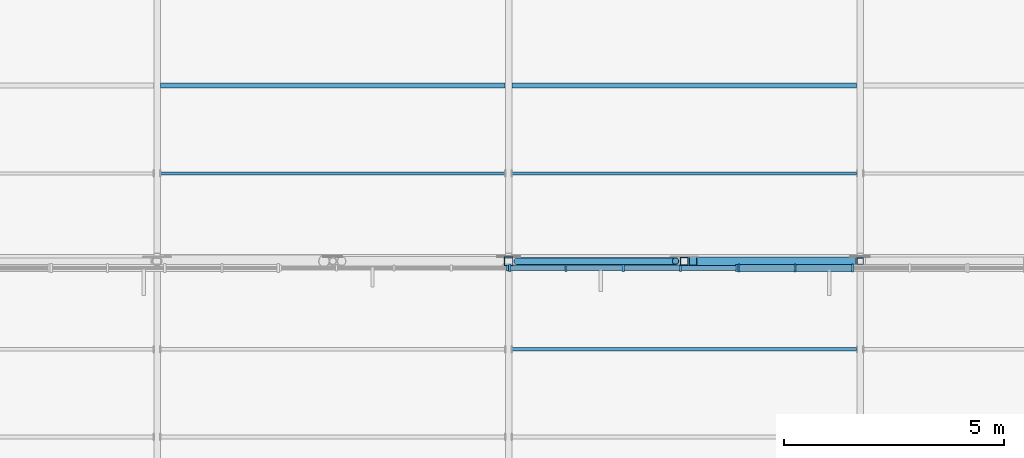
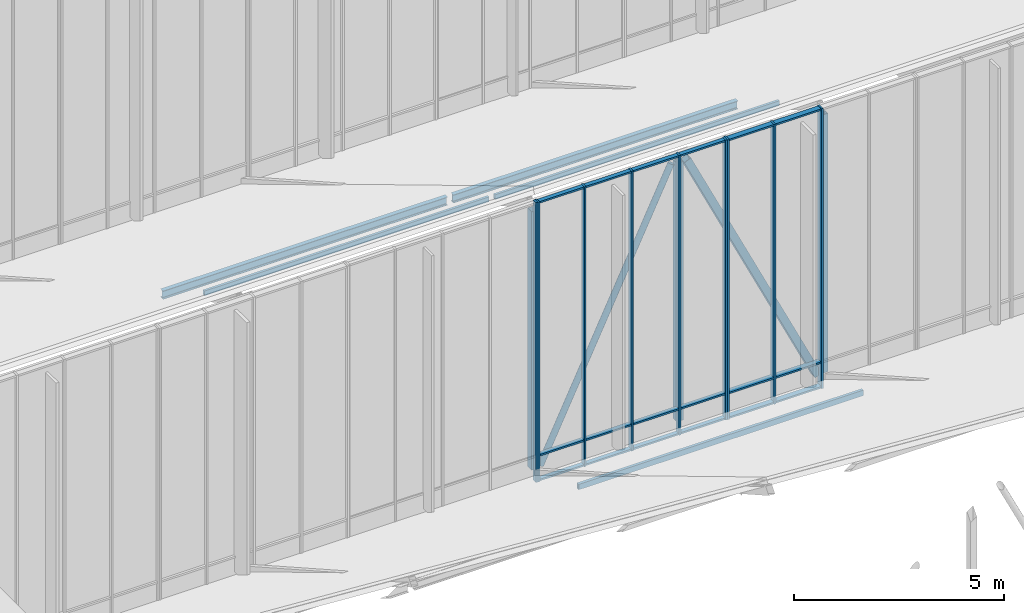
# One storey, part 43 of 155: 37 members, 3 elements without a shape of their own.
"""IFC4 building model written with IfcOpenShell, lengths in metres."""

from ifc_helpers import new_model, si_unit, direction, frame, origin, origin_2d, place, context, subcontext, project, spatial, rectangle, hollow_rectangle, hollow_circle, i_section, extrude, material, material_profile, profile_set, type_object, element, aggregate, save


model = new_model("IFC4")

# Units and contexts
model_context = context("Model", 3, precision=1e-05, world=origin(), true_north=direction((0.0, 1.0)))
body_context = subcontext(model_context, "Body", "Model", "MODEL_VIEW")
ifc_project = project(units=[si_unit("LENGTHUNIT", "METRE"), si_unit("AREAUNIT", "SQUARE_METRE"), si_unit("VOLUMEUNIT", "CUBIC_METRE"), si_unit("PLANEANGLEUNIT", "RADIAN"), si_unit("MASSUNIT", "GRAM", prefix="KILO")], contexts=[model_context])

# Site, building, storey
site_placement = place(None, origin())
site = spatial("IfcSite", under=ifc_project, at=site_placement, CompositionType="ELEMENT")
building_placement = place(site_placement, origin())
building = spatial("IfcBuilding", under=site, at=building_placement, Name="Larkveld Mobility Hub", CompositionType="ELEMENT")
storey_placement = place(building_placement, frame((0.0, 0.0, 8.39990234375)))
storey = spatial("IfcBuildingStorey", under=building, at=storey_placement, Name="L02", CompositionType="ELEMENT", Elevation=8.39990234375)

# Curtain wall, members
ifc_material_1 = material(Name="Anodised aluminium 6063-T6", Category="aluminium")
curtain_wall_type_1 = type_object("IfcCurtainWallType", Name="CW-SYS-05", PredefinedType="NOTDEFINED", material=ifc_material_1)
curtain_wall_1_placement = place(storey_placement, origin())
curtain_wall_1 = element("IfcCurtainWall", 1, at=curtain_wall_1_placement, inside=storey, type_object=curtain_wall_type_1, Name="Sawtooth South-Light Clerestory B2 CW-017", PredefinedType="NOTDEFINED")
ifc_material_profile_1 = material_profile(ifc_material_1, rectangle(XDim=0.050048828125, YDim=0.14990234375, at=origin_2d()), Name="ALU MULL 50x150")
ifc_profile_set_1 = profile_set([ifc_material_profile_1], Name="Anodised aluminium 6063-T6")
member_type_1 = type_object("IfcMemberType", Name="CW-MUL-01", PredefinedType="MULLION", material=ifc_profile_set_1)
member_1_placement = place(storey_placement, frame((168.02490234375, 41.844970703125, -0.001953125), z_axis=(0.0, 0.0, 1.0), x_axis=(1.0, 0.0, 0.0)))
member_1 = element("IfcMember", 2, at=member_1_placement, type_object=member_type_1, Name="CW05 mullion 1", PredefinedType="MULLION", context=body_context, shape_type="SweptSolid", body=[
    extrude(rectangle(XDim=0.050048828125, YDim=0.14990234375, at=origin_2d()), origin(), (0.0, 0.0, 1.0), 8.152099609375),
])
member_2_placement = place(storey_placement, frame((169.303955078125, 41.844970703125, -0.001953125), z_axis=(0.0, 0.0, 1.0), x_axis=(1.0, 0.0, 0.0)))
member_2 = element("IfcMember", 3, at=member_2_placement, type_object=member_type_1, Name="CW05 mullion 2", PredefinedType="MULLION", context=body_context, shape_type="SweptSolid", body=[
    extrude(rectangle(XDim=0.050048828125, YDim=0.14990234375, at=origin_2d()), origin(), (0.0, 0.0, 1.0), 8.152099609375),
])
member_3_placement = place(storey_placement, frame((170.60791015625, 41.844970703125, -0.001953125), z_axis=(0.0, 0.0, 1.0), x_axis=(1.0, 0.0, 0.0)))
member_3 = element("IfcMember", 4, at=member_3_placement, type_object=member_type_1, Name="CW05 mullion 3", PredefinedType="MULLION", context=body_context, shape_type="SweptSolid", body=[
    extrude(rectangle(XDim=0.050048828125, YDim=0.14990234375, at=origin_2d()), origin(), (0.0, 0.0, 1.0), 8.152099609375),
])
member_4_placement = place(storey_placement, frame((171.912109375, 41.844970703125, -0.001953125), z_axis=(0.0, 0.0, 1.0), x_axis=(1.0, 0.0, 0.0)))
member_4 = element("IfcMember", 5, at=member_4_placement, type_object=member_type_1, Name="CW05 mullion 4", PredefinedType="MULLION", context=body_context, shape_type="SweptSolid", body=[
    extrude(rectangle(XDim=0.050048828125, YDim=0.14990234375, at=origin_2d()), origin(), (0.0, 0.0, 1.0), 8.152099609375),
])
member_5_placement = place(storey_placement, frame((173.19189453125, 41.844970703125, -0.001953125), z_axis=(0.0, 0.0, 1.0), x_axis=(1.0, 0.0, 0.0)))
member_5 = element("IfcMember", 6, at=member_5_placement, type_object=member_type_1, Name="CW05 mullion 5", PredefinedType="MULLION", context=body_context, shape_type="SweptSolid", body=[
    extrude(rectangle(XDim=0.050048828125, YDim=0.14990234375, at=origin_2d()), origin(), (0.0, 0.0, 1.0), 8.152099609375),
])

curtain_wall_type_2 = type_object("IfcCurtainWallType", Name="CW-SYS-06", PredefinedType="NOTDEFINED", material=ifc_material_1)
curtain_wall_2_placement = place(storey_placement, origin())
curtain_wall_2 = element("IfcCurtainWall", 7, at=curtain_wall_2_placement, inside=storey, type_object=curtain_wall_type_2, Name="Sawtooth South-Light Clerestory B2 CW-018", PredefinedType="NOTDEFINED")
ifc_material_profile_2 = material_profile(ifc_material_1, rectangle(XDim=0.050048828125, YDim=0.179931640625, at=origin_2d()), Name="ALU MULL 50x180")
ifc_profile_set_2 = profile_set([ifc_material_profile_2], Name="Anodised aluminium 6063-T6")
member_type_2 = type_object("IfcMemberType", Name="CW-MUL-02", PredefinedType="MULLION", material=ifc_profile_set_2)
member_6_placement = place(storey_placement, frame((173.241943359375, 41.844970703125, -0.001953125), z_axis=(0.0, 0.0, 1.0), x_axis=(1.0, 0.0, 0.0)))
member_6 = element("IfcMember", 8, at=member_6_placement, type_object=member_type_2, Name="CW06 mullion 1", PredefinedType="MULLION", context=body_context, shape_type="SweptSolid", body=[
    extrude(rectangle(XDim=0.050048828125, YDim=0.179931640625, at=origin_2d()), origin(), (0.0, 0.0, 1.0), 8.152099609375),
])
member_7_placement = place(storey_placement, frame((174.52099609375, 41.844970703125, -0.001953125), z_axis=(0.0, 0.0, 1.0), x_axis=(1.0, 0.0, 0.0)))
member_7 = element("IfcMember", 9, at=member_7_placement, type_object=member_type_2, Name="CW06 mullion 2", PredefinedType="MULLION", context=body_context, shape_type="SweptSolid", body=[
    extrude(rectangle(XDim=0.050048828125, YDim=0.179931640625, at=origin_2d()), origin(), (0.0, 0.0, 1.0), 8.152099609375),
])
member_8_placement = place(storey_placement, frame((175.824951171875, 41.844970703125, -0.001953125), z_axis=(0.0, 0.0, 1.0), x_axis=(1.0, 0.0, 0.0)))
member_8 = element("IfcMember", 10, at=member_8_placement, type_object=member_type_2, Name="CW06 mullion 3", PredefinedType="MULLION", context=body_context, shape_type="SweptSolid", body=[
    extrude(rectangle(XDim=0.050048828125, YDim=0.179931640625, at=origin_2d()), origin(), (0.0, 0.0, 1.0), 8.152099609375),
])

# Curtain wall, member
curtain_wall_type_3 = type_object("IfcCurtainWallType", Name="CW-SYS-04", PredefinedType="NOTDEFINED", material=ifc_material_1)
curtain_wall_3_placement = place(storey_placement, origin())
curtain_wall_3 = element("IfcCurtainWall", 11, at=curtain_wall_3_placement, inside=storey, type_object=curtain_wall_type_3, Name="Sawtooth South-Light Clerestory B2 CW-016", PredefinedType="NOTDEFINED")
ifc_material_profile_3 = material_profile(ifc_material_1, rectangle(XDim=0.050048828125, YDim=0.1298828125, at=origin_2d()), Name="ALU MULL 50x130")
ifc_profile_set_3 = profile_set([ifc_material_profile_3], Name="Anodised aluminium 6063-T6")
member_type_3 = type_object("IfcMemberType", Name="CW-MUL-04", PredefinedType="MULLION", material=ifc_profile_set_3)
member_9_placement = place(storey_placement, frame((167.97509765625, 41.844970703125, -0.001953125), z_axis=(0.0, 0.0, 1.0), x_axis=(1.0, 0.0, 0.0)))
member_9 = element("IfcMember", 12, at=member_9_placement, type_object=member_type_3, Name="CW04 mullion 5", PredefinedType="MULLION", context=body_context, shape_type="SweptSolid", body=[
    extrude(rectangle(XDim=0.050048828125, YDim=0.1298828125, at=origin_2d()), origin(), (0.0, 0.0, 1.0), 8.152099609375),
])
aggregate(curtain_wall_3, [member_9])

# Member
ifc_material_profile_4 = material_profile(ifc_material_1, rectangle(XDim=0.1201171875, YDim=0.050048828125, at=origin_2d()), Name="ALU TRAN 50x120")
ifc_profile_set_4 = profile_set([ifc_material_profile_4], Name="Anodised aluminium 6063-T6")
member_type_4 = type_object("IfcMemberType", Name="CW-TRN-01", PredefinedType="USERDEFINED", material=ifc_profile_set_4)
member_10_placement = place(storey_placement, frame((168.034912109375, 41.844970703125, 0.030029296875), z_axis=(1.0, 0.0, 0.0), x_axis=(0.0, 1.0, 0.0)))
member_10 = element("IfcMember", 13, at=member_10_placement, type_object=member_type_4, Name="CW05 transom 1.1", ObjectType="TRANSOM", PredefinedType="USERDEFINED", context=body_context, shape_type="SweptSolid", body=[
    extrude(rectangle(XDim=0.1201171875, YDim=0.050048828125, at=origin_2d()), origin(), (0.0, 0.0, 1.0), 1.254150390625),
])

member_11_placement = place(storey_placement, frame((168.034912109375, 41.844970703125, 0.75), z_axis=(1.0, 0.0, 0.0), x_axis=(0.0, 1.0, 0.0)))
member_11 = element("IfcMember", 14, at=member_11_placement, type_object=member_type_4, Name="CW05 transom 1.2", ObjectType="TRANSOM", PredefinedType="USERDEFINED", context=body_context, shape_type="SweptSolid", body=[
    extrude(rectangle(XDim=0.1201171875, YDim=0.050048828125, at=origin_2d()), origin(), (0.0, 0.0, 1.0), 1.254150390625),
])

member_12_placement = place(storey_placement, frame((168.034912109375, 41.844970703125, 8.1181640625), z_axis=(1.0, 0.0, 0.0), x_axis=(0.0, 1.0, 0.0)))
member_12 = element("IfcMember", 15, at=member_12_placement, type_object=member_type_4, Name="CW05 transom 1.3", ObjectType="TRANSOM", PredefinedType="USERDEFINED", context=body_context, shape_type="SweptSolid", body=[
    extrude(rectangle(XDim=0.1201171875, YDim=0.050048828125, at=origin_2d()), origin(), (0.0, 0.0, 1.0), 1.254150390625),
])

member_13_placement = place(storey_placement, frame((169.319091796875, 41.844970703125, 0.030029296875), z_axis=(1.0, 0.0, 0.0), x_axis=(0.0, 1.0, 0.0)))
member_13 = element("IfcMember", 16, at=member_13_placement, type_object=member_type_4, Name="CW05 transom 2.1", ObjectType="TRANSOM", PredefinedType="USERDEFINED", context=body_context, shape_type="SweptSolid", body=[
    extrude(rectangle(XDim=0.1201171875, YDim=0.050048828125, at=origin_2d()), origin(), (0.0, 0.0, 1.0), 1.27392578125),
])

member_14_placement = place(storey_placement, frame((169.319091796875, 41.844970703125, 0.75), z_axis=(1.0, 0.0, 0.0), x_axis=(0.0, 1.0, 0.0)))
member_14 = element("IfcMember", 17, at=member_14_placement, type_object=member_type_4, Name="CW05 transom 2.2", ObjectType="TRANSOM", PredefinedType="USERDEFINED", context=body_context, shape_type="SweptSolid", body=[
    extrude(rectangle(XDim=0.1201171875, YDim=0.050048828125, at=origin_2d()), origin(), (0.0, 0.0, 1.0), 1.27392578125),
])

member_15_placement = place(storey_placement, frame((169.319091796875, 41.844970703125, 8.1181640625), z_axis=(1.0, 0.0, 0.0), x_axis=(0.0, 1.0, 0.0)))
member_15 = element("IfcMember", 18, at=member_15_placement, type_object=member_type_4, Name="CW05 transom 2.3", ObjectType="TRANSOM", PredefinedType="USERDEFINED", context=body_context, shape_type="SweptSolid", body=[
    extrude(rectangle(XDim=0.1201171875, YDim=0.050048828125, at=origin_2d()), origin(), (0.0, 0.0, 1.0), 1.27392578125),
])

member_16_placement = place(storey_placement, frame((170.623046875, 41.844970703125, 0.030029296875), z_axis=(1.0, 0.0, 0.0), x_axis=(0.0, 1.0, 0.0)))
member_16 = element("IfcMember", 19, at=member_16_placement, type_object=member_type_4, Name="CW05 transom 3.1", ObjectType="TRANSOM", PredefinedType="USERDEFINED", context=body_context, shape_type="SweptSolid", body=[
    extrude(rectangle(XDim=0.1201171875, YDim=0.050048828125, at=origin_2d()), origin(), (0.0, 0.0, 1.0), 1.27490234375),
])

member_17_placement = place(storey_placement, frame((170.623046875, 41.844970703125, 0.75), z_axis=(1.0, 0.0, 0.0), x_axis=(0.0, 1.0, 0.0)))
member_17 = element("IfcMember", 20, at=member_17_placement, type_object=member_type_4, Name="CW05 transom 3.2", ObjectType="TRANSOM", PredefinedType="USERDEFINED", context=body_context, shape_type="SweptSolid", body=[
    extrude(rectangle(XDim=0.1201171875, YDim=0.050048828125, at=origin_2d()), origin(), (0.0, 0.0, 1.0), 1.27490234375),
])

member_18_placement = place(storey_placement, frame((170.623046875, 41.844970703125, 8.1181640625), z_axis=(1.0, 0.0, 0.0), x_axis=(0.0, 1.0, 0.0)))
member_18 = element("IfcMember", 21, at=member_18_placement, type_object=member_type_4, Name="CW05 transom 3.3", ObjectType="TRANSOM", PredefinedType="USERDEFINED", context=body_context, shape_type="SweptSolid", body=[
    extrude(rectangle(XDim=0.1201171875, YDim=0.050048828125, at=origin_2d()), origin(), (0.0, 0.0, 1.0), 1.27490234375),
])

member_19_placement = place(storey_placement, frame((171.927978515625, 41.844970703125, 0.030029296875), z_axis=(1.0, 0.0, 0.0), x_axis=(0.0, 1.0, 0.0)))
member_19 = element("IfcMember", 22, at=member_19_placement, type_object=member_type_4, Name="CW05 transom 4.1", ObjectType="TRANSOM", PredefinedType="USERDEFINED", context=body_context, shape_type="SweptSolid", body=[
    extrude(rectangle(XDim=0.1201171875, YDim=0.050048828125, at=origin_2d()), origin(), (0.0, 0.0, 1.0), 1.25390625),
])

member_20_placement = place(storey_placement, frame((171.927978515625, 41.844970703125, 0.75), z_axis=(1.0, 0.0, 0.0), x_axis=(0.0, 1.0, 0.0)))
member_20 = element("IfcMember", 23, at=member_20_placement, type_object=member_type_4, Name="CW05 transom 4.2", ObjectType="TRANSOM", PredefinedType="USERDEFINED", context=body_context, shape_type="SweptSolid", body=[
    extrude(rectangle(XDim=0.1201171875, YDim=0.050048828125, at=origin_2d()), origin(), (0.0, 0.0, 1.0), 1.25390625),
])

member_21_placement = place(storey_placement, frame((171.927978515625, 41.844970703125, 8.1181640625), z_axis=(1.0, 0.0, 0.0), x_axis=(0.0, 1.0, 0.0)))
member_21 = element("IfcMember", 24, at=member_21_placement, type_object=member_type_4, Name="CW05 transom 4.3", ObjectType="TRANSOM", PredefinedType="USERDEFINED", context=body_context, shape_type="SweptSolid", body=[
    extrude(rectangle(XDim=0.1201171875, YDim=0.050048828125, at=origin_2d()), origin(), (0.0, 0.0, 1.0), 1.25390625),
])

aggregate(curtain_wall_1, [member_1, member_2, member_3, member_4, member_5, member_10, member_11, member_12, member_13, member_14, member_15, member_16, member_17, member_18, member_19, member_20, member_21])

ifc_material_profile_5 = material_profile(ifc_material_1, rectangle(XDim=0.14990234375, YDim=0.050048828125, at=origin_2d()), Name="ALU TRAN 50x150")
ifc_profile_set_5 = profile_set([ifc_material_profile_5], Name="Anodised aluminium 6063-T6")
member_type_5 = type_object("IfcMemberType", Name="CW-TRN-02", PredefinedType="USERDEFINED", material=ifc_profile_set_5)
member_22_placement = place(storey_placement, frame((173.251953125, 41.844970703125, 0.030029296875), z_axis=(1.0, 0.0, 0.0), x_axis=(0.0, 1.0, 0.0)))
member_22 = element("IfcMember", 25, at=member_22_placement, type_object=member_type_5, Name="CW06 transom 1.1", ObjectType="TRANSOM", PredefinedType="USERDEFINED", context=body_context, shape_type="SweptSolid", body=[
    extrude(rectangle(XDim=0.14990234375, YDim=0.050048828125, at=origin_2d()), origin(), (0.0, 0.0, 1.0), 1.254150390625),
])

member_23_placement = place(storey_placement, frame((173.251953125, 41.844970703125, 0.75), z_axis=(1.0, 0.0, 0.0), x_axis=(0.0, 1.0, 0.0)))
member_23 = element("IfcMember", 26, at=member_23_placement, type_object=member_type_5, Name="CW06 transom 1.2", ObjectType="TRANSOM", PredefinedType="USERDEFINED", context=body_context, shape_type="SweptSolid", body=[
    extrude(rectangle(XDim=0.14990234375, YDim=0.050048828125, at=origin_2d()), origin(), (0.0, 0.0, 1.0), 1.254150390625),
])

member_24_placement = place(storey_placement, frame((173.251953125, 41.844970703125, 8.1181640625), z_axis=(1.0, 0.0, 0.0), x_axis=(0.0, 1.0, 0.0)))
member_24 = element("IfcMember", 27, at=member_24_placement, type_object=member_type_5, Name="CW06 transom 1.3", ObjectType="TRANSOM", PredefinedType="USERDEFINED", context=body_context, shape_type="SweptSolid", body=[
    extrude(rectangle(XDim=0.14990234375, YDim=0.050048828125, at=origin_2d()), origin(), (0.0, 0.0, 1.0), 1.254150390625),
])

member_25_placement = place(storey_placement, frame((174.535888671875, 41.844970703125, 0.030029296875), z_axis=(1.0, 0.0, 0.0), x_axis=(0.0, 1.0, 0.0)))
member_25 = element("IfcMember", 28, at=member_25_placement, type_object=member_type_5, Name="CW06 transom 2.1", ObjectType="TRANSOM", PredefinedType="USERDEFINED", context=body_context, shape_type="SweptSolid", body=[
    extrude(rectangle(XDim=0.14990234375, YDim=0.050048828125, at=origin_2d()), origin(), (0.0, 0.0, 1.0), 1.274169921875),
])

member_26_placement = place(storey_placement, frame((174.535888671875, 41.844970703125, 0.75), z_axis=(1.0, 0.0, 0.0), x_axis=(0.0, 1.0, 0.0)))
member_26 = element("IfcMember", 29, at=member_26_placement, type_object=member_type_5, Name="CW06 transom 2.2", ObjectType="TRANSOM", PredefinedType="USERDEFINED", context=body_context, shape_type="SweptSolid", body=[
    extrude(rectangle(XDim=0.14990234375, YDim=0.050048828125, at=origin_2d()), origin(), (0.0, 0.0, 1.0), 1.274169921875),
])

member_27_placement = place(storey_placement, frame((174.535888671875, 41.844970703125, 8.1181640625), z_axis=(1.0, 0.0, 0.0), x_axis=(0.0, 1.0, 0.0)))
member_27 = element("IfcMember", 30, at=member_27_placement, type_object=member_type_5, Name="CW06 transom 2.3", ObjectType="TRANSOM", PredefinedType="USERDEFINED", context=body_context, shape_type="SweptSolid", body=[
    extrude(rectangle(XDim=0.14990234375, YDim=0.050048828125, at=origin_2d()), origin(), (0.0, 0.0, 1.0), 1.274169921875),
])

aggregate(curtain_wall_2, [member_6, member_7, member_8, member_22, member_23, member_24, member_25, member_26, member_27])

# Members
ifc_material_2 = material(Name="Steel S355JR", Category="steel")
ifc_material_profile_6 = material_profile(ifc_material_2, hollow_circle(Radius=0.084228515625, WallThickness=0.008056640625, at=origin_2d()), Name="CHS 168.3x8")
ifc_profile_set_6 = profile_set([ifc_material_profile_6], Name="Steel S355JR")
member_type_6 = type_object("IfcMemberType", Name="MB-BR-CHS168", PredefinedType="BRACE", material=ifc_profile_set_6)
member_28_placement = place(storey_placement, frame((168.199951171875, 42.0, 0.300048828125), z_axis=(0.43156423058, 0.0, 0.902082210712), x_axis=(0.0, 1.0, 0.0)))
element("IfcMember", 31, at=member_28_placement, inside=storey, type_object=member_type_6, Name="ROOF TRUSS T2 Web Diagonal 5", PredefinedType="BRACE", context=body_context, shape_type="SweptSolid", body=[
    extrude(hollow_circle(Radius=0.084228515625, WallThickness=0.008056640625, at=origin_2d()), origin(), (0.0, 0.0, 1.0), 8.342041015625),
])
ifc_material_profile_7 = material_profile(ifc_material_2, hollow_rectangle(XDim=0.14990234375, YDim=0.14990234375, WallThickness=0.008056640625, at=origin_2d()), Name="SHS 150x150x8")
ifc_profile_set_7 = profile_set([ifc_material_profile_7], Name="Steel S355JR")
member_type_7 = type_object("IfcMemberType", Name="MB-BR-SHS150", PredefinedType="BRACE", material=ifc_profile_set_7)
member_29_placement = place(storey_placement, frame((176.0, 42.0, 0.300048828125), z_axis=(0.0, 0.0, 1.0), x_axis=(1.0, 0.0, 0.0)))
element("IfcMember", 32, at=member_29_placement, inside=storey, type_object=member_type_7, Name="ROOF TRUSS T2 Vertical Post 6", PredefinedType="BRACE", context=body_context, shape_type="SweptSolid", body=[
    extrude(hollow_rectangle(XDim=0.14990234375, YDim=0.14990234375, WallThickness=0.008056640625, at=origin_2d()), origin(), (0.0, 0.0, 1.0), 7.525146484375),
])
ifc_material_profile_8 = material_profile(ifc_material_2, hollow_rectangle(XDim=0.179931640625, YDim=0.179931640625, WallThickness=0.010009765625, at=origin_2d()), Name="SHS 180x180x10")
ifc_profile_set_8 = profile_set([ifc_material_profile_8], Name="Steel S355JR")
member_type_8 = type_object("IfcMemberType", Name="MB-BR-SHS180", PredefinedType="BRACE", material=ifc_profile_set_8)
member_30_placement = place(storey_placement, frame((172.0, 42.0, 0.300048828125), z_axis=(0.0, 0.0, 1.0), x_axis=(1.0, 0.0, 0.0)))
element("IfcMember", 33, at=member_30_placement, inside=storey, type_object=member_type_8, Name="ROOF TRUSS T2 Vertical Post 5", PredefinedType="BRACE", context=body_context, shape_type="SweptSolid", body=[
    extrude(hollow_rectangle(XDim=0.179931640625, YDim=0.179931640625, WallThickness=0.010009765625, at=origin_2d()), origin(), (0.0, 0.0, 1.0), 7.525146484375),
])
ifc_material_profile_9 = material_profile(ifc_material_2, hollow_rectangle(XDim=0.199951171875, YDim=0.199951171875, WallThickness=0.010009765625, at=origin_2d()), Name="SHS 200x200x10")
ifc_profile_set_9 = profile_set([ifc_material_profile_9], Name="Steel S355JR")
member_type_9 = type_object("IfcMemberType", Name="MB-BR-SHS200", PredefinedType="BRACE", material=ifc_profile_set_9)
member_31_placement = place(storey_placement, frame((168.0, 42.0, 0.300048828125), z_axis=(0.0, 0.0, 1.0), x_axis=(1.0, 0.0, 0.0)))
element("IfcMember", 34, at=member_31_placement, inside=storey, type_object=member_type_9, Name="ROOF TRUSS T2 Vertical Post 4", PredefinedType="BRACE", context=body_context, shape_type="SweptSolid", body=[
    extrude(hollow_rectangle(XDim=0.199951171875, YDim=0.199951171875, WallThickness=0.010009765625, at=origin_2d()), origin(), (0.0, 0.0, 1.0), 7.525146484375),
])
member_32_placement = place(storey_placement, frame((172.199951171875, 42.0, 7.8251953125), z_axis=(0.43156423058, 0.0, -0.902082210712), x_axis=(0.0, 1.0, 0.0)))
element("IfcMember", 35, at=member_32_placement, inside=storey, type_object=member_type_9, Name="ROOF TRUSS T2 Web Diagonal 6", PredefinedType="BRACE", context=body_context, shape_type="SweptSolid", body=[
    extrude(hollow_rectangle(XDim=0.199951171875, YDim=0.199951171875, WallThickness=0.010009765625, at=origin_2d()), origin(), (0.0, 0.0, 1.0), 8.342041015625),
])
ifc_material_profile_10 = material_profile(ifc_material_2, i_section(OverallWidth=0.1201171875, OverallDepth=0.239990234375, WebThickness=0.006103515625, FlangeThickness=0.009765625, FilletRadius=0.014892578125, at=origin_2d()), Name="IPE 240")
ifc_profile_set_10 = profile_set([ifc_material_profile_10], Name="Steel S355JR")
member_type_10 = type_object("IfcMemberType", Name="MB-PR-IPE240", PredefinedType="PURLIN", material=ifc_profile_set_10)
for number, where, z_axis, x_axis, name in (
    (36, (160.080078125, 46.0, 5.68701171875), (1.0, 0.0, 0.0), (0.0, 1.0, 0.0), "Sawtooth Roof Purlin B2-2.2"),
    (37, (168.080078125, 46.0, 5.68701171875), (1.0, 0.0, 0.0), (0.0, 1.0, 0.0), "Sawtooth Roof Purlin B2-2.3"),
):
    element("IfcMember", number, at=place(storey_placement, frame(where, z_axis=z_axis, x_axis=x_axis)), inside=storey, type_object=member_type_10, Name=name, PredefinedType="PURLIN", context=body_context, shape_type="SweptSolid", body=[
        extrude(i_section(OverallWidth=0.1201171875, OverallDepth=0.239990234375, WebThickness=0.006103515625, FlangeThickness=0.009765625, FilletRadius=0.014892578125, at=origin_2d()), origin(), (0.0, 0.0, 1.0), 7.83984375),
    ])
ifc_material_profile_11 = material_profile(ifc_material_2, hollow_rectangle(XDim=0.070068359375, YDim=0.139892578125, WallThickness=0.00634765625, at=origin_2d()), Name="RHS 140x70x6.3")
ifc_profile_set_11 = profile_set([ifc_material_profile_11], Name="Steel S355JR")
member_type_11 = type_object("IfcMemberType", Name="MB-PR-RHS140", PredefinedType="PURLIN", material=ifc_profile_set_11)
for number, where, z_axis, x_axis, name in (
    (38, (160.080078125, 44.0, 6.93701171875), (1.0, 0.0, 0.0), (0.0, 1.0, 0.0), "Sawtooth Roof Purlin B2-1.2"),
    (39, (168.080078125, 44.0, 6.93701171875), (1.0, 0.0, 0.0), (0.0, 1.0, 0.0), "Sawtooth Roof Purlin B2-1.3"),
):
    element("IfcMember", number, at=place(storey_placement, frame(where, z_axis=z_axis, x_axis=x_axis)), inside=storey, type_object=member_type_11, Name=name, PredefinedType="PURLIN", context=body_context, shape_type="SweptSolid", body=[
        extrude(hollow_rectangle(XDim=0.070068359375, YDim=0.139892578125, WallThickness=0.00634765625, at=origin_2d()), origin(), (0.0, 0.0, 1.0), 7.83984375),
    ])
ifc_material_profile_12 = material_profile(ifc_material_2, hollow_rectangle(XDim=0.080078125, YDim=0.159912109375, WallThickness=0.008056640625, at=origin_2d()), Name="RHS 160x80x8")
ifc_profile_set_12 = profile_set([ifc_material_profile_12], Name="Steel S355JR")
member_type_12 = type_object("IfcMemberType", Name="MB-PR-RHS160", PredefinedType="PURLIN", material=ifc_profile_set_12)
member_33_placement = place(storey_placement, frame((168.080078125, 40.0, 0.927001953125), z_axis=(1.0, 0.0, 0.0), x_axis=(0.0, 1.0, 0.0)))
element("IfcMember", 40, at=member_33_placement, inside=storey, type_object=member_type_12, Name="Sawtooth Roof Purlin B1-6.3", PredefinedType="PURLIN", context=body_context, shape_type="SweptSolid", body=[
    extrude(hollow_rectangle(XDim=0.080078125, YDim=0.159912109375, WallThickness=0.008056640625, at=origin_2d()), origin(), (0.0, 0.0, 1.0), 7.83984375),
])

save(model, "model.ifc")
